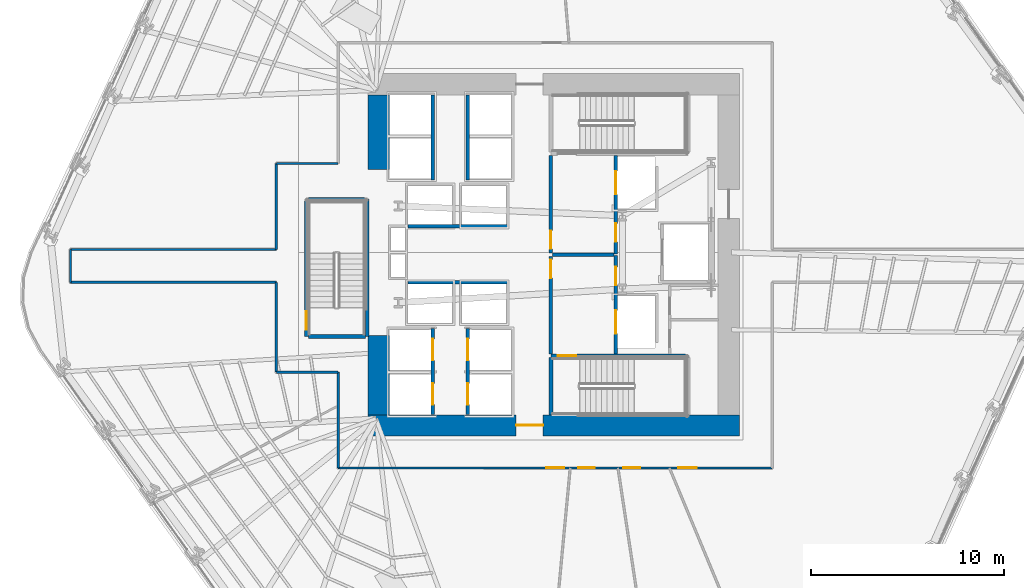
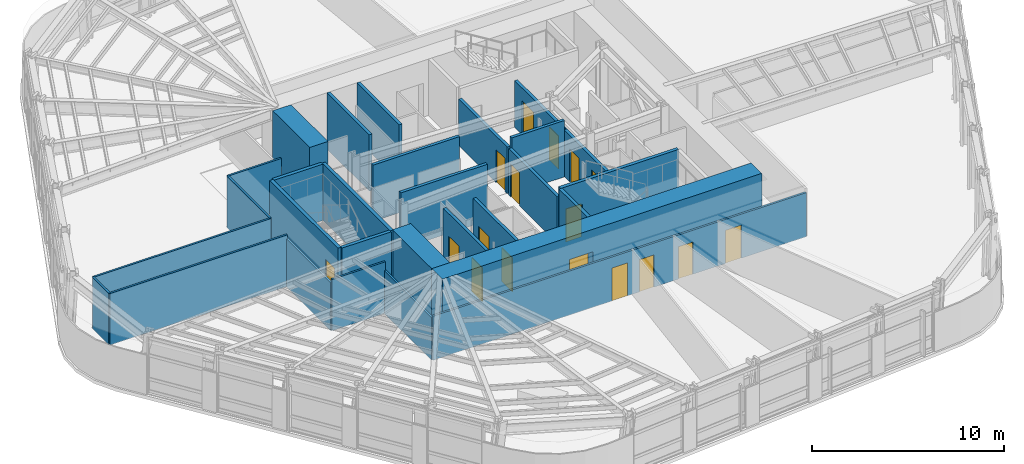
# One storey, part 8 of 16: 29 walls, 17 doors, 17 openings.
"""IFC4 building model written with IfcOpenShell, lengths in metres."""

from ifc_helpers import new_model, si_unit, direction, frame, frame_2d, origin, place, context, subcontext, project, spatial, rectangle, extrude, material, layer, layer_set, type_object, element, fill, save


model = new_model("IFC4")

# Units and contexts
model_context = context("Model", 3, precision=1e-05, world=origin(), true_north=direction((0.0, 1.0)))
body_context = subcontext(model_context, "Body", "Model", "MODEL_VIEW")
ifc_project = project(units=[si_unit("LENGTHUNIT", "METRE"), si_unit("AREAUNIT", "SQUARE_METRE"), si_unit("VOLUMEUNIT", "CUBIC_METRE"), si_unit("PLANEANGLEUNIT", "RADIAN"), si_unit("MASSUNIT", "GRAM", prefix="KILO")], contexts=[model_context])

# Site, building, storey
site_placement = place(None, origin())
site = spatial("IfcSite", under=ifc_project, at=site_placement, CompositionType="ELEMENT")
building_placement = place(site_placement, origin())
building = spatial("IfcBuilding", under=site, at=building_placement, Name="Valkerne Bourse Tower", CompositionType="ELEMENT")
storey_placement = place(building_placement, frame((0.0, 0.0, 46.800048828125)))
storey = spatial("IfcBuildingStorey", under=building, at=storey_placement, Name="L11", CompositionType="ELEMENT", Elevation=46.800048828125)

# Wall, opening, door
ifc_material_1 = material(Name="Concrete C70/85", Category="concrete")
ifc_layer_1 = layer(ifc_material_1, 1.10009765625)
ifc_layer_set_1 = layer_set([ifc_layer_1], Name="Concrete C70/85")
wall_type_1 = type_object("IfcWallType", Name="W-CORE-1100", PredefinedType="SHEAR", material=ifc_layer_set_1)
wall_1_placement = place(storey_placement, frame((37.199951171875, 18.050048828125, 0.0), z_axis=(0.0, 0.0, 1.0), x_axis=(1.0, 0.0, 0.0)))
wall_1 = element("IfcWall", 1, at=wall_1_placement, inside=storey, type_object=wall_type_1, Name="L11 Core Shear Wall SOUTH", PredefinedType="SHEAR", context=body_context, shape_type="SweptSolid", body=[
    extrude(rectangle(XDim=19.199951171875, YDim=1.10009765625, at=frame_2d((9.60009765625, 0.0))), origin(), (0.0, 0.0, 1.0), 3.579833984375),
])
opening_1_placement = place(wall_1_placement, frame((7.64990234375, 0.0, 0.0)))
opening_1 = element("IfcOpeningElement", 2, at=opening_1_placement, cuts=wall_1, Name="Opening D-PL-1400", PredefinedType="OPENING", context=body_context, shape_type="SweptSolid", body=[
    extrude(rectangle(XDim=1.39990234375, YDim=2.14990234375, at=frame_2d((0.699951171875, 1.074951171875))), frame((0.0, 0.56005859375, 0.0), z_axis=(0.0, -1.0, 0.0), x_axis=(1.0, 0.0, 0.0)), (0.0, 0.0, 1.0), 1.1201171875),
])
ifc_material_2 = material(Name="Galvanised Painted Steel", Category="steel")
door_type_1 = type_object("IfcDoorType", Name="DR-PLT-1400", OperationType="DOUBLE_DOOR_SINGLE_SWING", PredefinedType="DOOR", material=ifc_material_2)
door_1_placement = place(opening_1_placement, origin())
door_1 = element("IfcDoor", 3, at=door_1_placement, inside=storey, type_object=door_type_1, Name="L11 South Passenger Lift Hall Fire Door", OperationType="DOUBLE_DOOR_SINGLE_SWING", OverallHeight=2.14990234375, OverallWidth=1.39990234375, PredefinedType="DOOR", context=body_context, shape_type="SweptSolid", body=[
    extrude(rectangle(XDim=1.39990234375, YDim=2.14990234375, at=frame_2d((0.699951171875, 1.074951171875))), frame((0.0, 0.02490234375, 0.0), z_axis=(0.0, -1.0, 0.0), x_axis=(1.0, 0.0, 0.0)), (0.0, 0.0, 1.0), 0.050048828125),
])
fill(opening_1, door_1)

# Walls
wall_2_placement = place(storey_placement, frame((37.75, 18.60009765625, 0.0), z_axis=(0.0, 0.0, 1.0), x_axis=(0.0, 1.0, 0.0)))
element("IfcWall", 4, at=wall_2_placement, inside=storey, type_object=wall_type_1, Name="L11 Core Shear Wall WEST-S", PredefinedType="SHEAR", context=body_context, shape_type="SweptSolid", body=[
    extrude(rectangle(XDim=4.099853515625, YDim=1.10009765625, at=frame_2d((2.0498046875, 0.0))), origin(), (0.0, 0.0, 1.0), 3.579833984375),
])
wall_3_placement = place(storey_placement, frame((37.75, 31.300048828125, 0.0), z_axis=(0.0, 0.0, 1.0), x_axis=(0.0, 1.0, 0.0)))
element("IfcWall", 5, at=wall_3_placement, inside=storey, type_object=wall_type_1, Name="L11 Core Shear Wall WEST-N", PredefinedType="SHEAR", context=body_context, shape_type="SweptSolid", body=[
    extrude(rectangle(XDim=3.849853515625, YDim=1.10009765625, at=frame_2d((1.9248046875, 0.0))), origin(), (0.0, 0.0, 1.0), 3.579833984375),
])

# Wall, openings, doors
ifc_material_3 = material(Name="Gypsum Board Steel-Stud Partition", Category="steel")
ifc_layer_2 = layer(ifc_material_3, 0.117919921875)
ifc_layer_set_2 = layer_set([ifc_layer_2], Name="Gypsum Board Steel-Stud Partition")
wall_type_2 = type_object("IfcWallType", Name="W-CORR-140", PredefinedType="PARTITIONING", material=ifc_layer_set_2)
wall_4_placement = place(storey_placement, frame((58.10009765625, 15.85009765625, 0.0), z_axis=(0.0, 0.0, 1.0), x_axis=(-1.0, 0.0, 0.0)))
wall_4 = element("IfcWall", 6, at=wall_4_placement, inside=storey, type_object=wall_type_2, Name="L11 Corridor Enclosure Wall", PredefinedType="PARTITIONING", context=body_context, shape_type="SweptSolid", body=[
    extrude(rectangle(XDim=22.4501953125, YDim=0.117919921875, at=frame_2d((11.22509765625, 0.0))), origin(), (0.0, 0.0, 1.0), 2.80029296875),
])
opening_2_placement = place(wall_4_placement, frame((9.175048828125, 0.0, 0.0)))
opening_2 = element("IfcOpeningElement", 7, at=opening_2_placement, cuts=wall_4, Name="Opening D-WC-900", PredefinedType="OPENING", context=body_context, shape_type="SweptSolid", body=[
    extrude(rectangle(XDim=0.860107421875, YDim=2.050048828125, at=frame_2d((0.43017578125, 1.02490234375))), frame((0.0, 0.06884765625, 0.0), z_axis=(0.0, -1.0, 0.0), x_axis=(1.0, 0.0, 0.0)), (0.0, 0.0, 1.0), 0.137939453125),
])
opening_3_placement = place(wall_4_placement, frame((6.8349609375, 0.0, 0.0)))
opening_3 = element("IfcOpeningElement", 8, at=opening_3_placement, cuts=wall_4, Name="Opening D-WC-900", PredefinedType="OPENING", context=body_context, shape_type="SweptSolid", body=[
    extrude(rectangle(XDim=0.860107421875, YDim=2.050048828125, at=frame_2d((0.43017578125, 1.02490234375))), frame((0.0, 0.06884765625, 0.0), z_axis=(0.0, -1.0, 0.0), x_axis=(1.0, 0.0, 0.0)), (0.0, 0.0, 1.0), 0.137939453125),
])
opening_4_placement = place(wall_4_placement, frame((10.75, 0.0, 0.0)))
opening_4 = element("IfcOpeningElement", 9, at=opening_4_placement, cuts=wall_4, Name="Opening D-OF-950", PredefinedType="OPENING", context=body_context, shape_type="SweptSolid", body=[
    extrude(rectangle(XDim=0.949951171875, YDim=2.10009765625, at=frame_2d((0.47509765625, 1.050048828125))), frame((0.0, 0.06884765625, 0.0), z_axis=(0.0, -1.0, 0.0), x_axis=(1.0, 0.0, 0.0)), (0.0, 0.0, 1.0), 0.137939453125),
])
opening_5_placement = place(wall_4_placement, frame((3.909912109375, 0.0, 0.0)))
opening_5 = element("IfcOpeningElement", 10, at=opening_5_placement, cuts=wall_4, Name="Opening D-OF-950", PredefinedType="OPENING", context=body_context, shape_type="SweptSolid", body=[
    extrude(rectangle(XDim=0.949951171875, YDim=2.10009765625, at=frame_2d((0.47509765625, 1.050048828125))), frame((0.0, 0.06884765625, 0.0), z_axis=(0.0, -1.0, 0.0), x_axis=(1.0, 0.0, 0.0)), (0.0, 0.0, 1.0), 0.137939453125),
])
ifc_material_4 = material(Name="Architectural White Oak Timber", Category="wood")
door_type_2 = type_object("IfcDoorType", Name="DR-OFF-950", OperationType="NOTDEFINED", PredefinedType="DOOR", material=ifc_material_4)
door_2_placement = place(opening_4_placement, origin())
door_2 = element("IfcDoor", 11, at=door_2_placement, inside=storey, type_object=door_type_2, Name="L11 L11 Executive Economics Study Room 3 Door", OperationType="SINGLE_SWING_LEFT", OverallHeight=2.10009765625, OverallWidth=0.949951171875, PredefinedType="DOOR", context=body_context, shape_type="SweptSolid", body=[
    extrude(rectangle(XDim=0.949951171875, YDim=2.10009765625, at=frame_2d((0.47509765625, 1.050048828125))), frame((0.0, 0.02490234375, 0.0), z_axis=(0.0, -1.0, 0.0), x_axis=(1.0, 0.0, 0.0)), (0.0, 0.0, 1.0), 0.050048828125),
])
fill(opening_4, door_2)
door_3_placement = place(opening_5_placement, origin())
door_3 = element("IfcDoor", 12, at=door_3_placement, inside=storey, type_object=door_type_2, Name="L11 L11 Occupational Wellness Clinic 5 Door", OperationType="SINGLE_SWING_RIGHT", OverallHeight=2.10009765625, OverallWidth=0.949951171875, PredefinedType="DOOR", context=body_context, shape_type="SweptSolid", body=[
    extrude(rectangle(XDim=0.949951171875, YDim=2.10009765625, at=frame_2d((0.47509765625, 1.050048828125))), frame((0.0, 0.02490234375, 0.0), z_axis=(0.0, -1.0, 0.0), x_axis=(1.0, 0.0, 0.0)), (0.0, 0.0, 1.0), 0.050048828125),
])
fill(opening_5, door_3)
door_type_3 = type_object("IfcDoorType", Name="DR-WC-900", OperationType="NOTDEFINED", PredefinedType="DOOR", material=ifc_material_4)
door_4_placement = place(opening_2_placement, origin())
door_4 = element("IfcDoor", 13, at=door_4_placement, inside=storey, type_object=door_type_3, Name="L11 L11 Men Bathroom WC 1 Door", OperationType="SINGLE_SWING_LEFT", OverallHeight=2.050048828125, OverallWidth=0.860107421875, PredefinedType="DOOR", context=body_context, shape_type="SweptSolid", body=[
    extrude(rectangle(XDim=0.860107421875, YDim=2.050048828125, at=frame_2d((0.43017578125, 1.02490234375))), frame((0.0, 0.02490234375, 0.0), z_axis=(0.0, -1.0, 0.0), x_axis=(1.0, 0.0, 0.0)), (0.0, 0.0, 1.0), 0.050048828125),
])
fill(opening_2, door_4)
door_5_placement = place(opening_3_placement, origin())
door_5 = element("IfcDoor", 14, at=door_5_placement, inside=storey, type_object=door_type_3, Name="L11 L11 Women Restroom & Shower WC 2 Door", OperationType="SINGLE_SWING_LEFT", OverallHeight=2.050048828125, OverallWidth=0.860107421875, PredefinedType="DOOR", context=body_context, shape_type="SweptSolid", body=[
    extrude(rectangle(XDim=0.860107421875, YDim=2.050048828125, at=frame_2d((0.43017578125, 1.02490234375))), frame((0.0, 0.02490234375, 0.0), z_axis=(0.0, -1.0, 0.0), x_axis=(1.0, 0.0, 0.0)), (0.0, 0.0, 1.0), 0.050048828125),
])
fill(opening_3, door_5)

# Walls
wall_5_placement = place(storey_placement, frame((35.64990234375, 15.85009765625, 0.0), z_axis=(0.0, 0.0, 1.0), x_axis=(0.0, 1.0, 0.0)))
element("IfcWall", 15, at=wall_5_placement, inside=storey, type_object=wall_type_2, Name="L11 Corridor Enclosure Wall", PredefinedType="PARTITIONING", context=body_context, shape_type="SweptSolid", body=[
    extrude(rectangle(XDim=4.949951171875, YDim=0.117919921875, at=frame_2d((2.47509765625, 0.0))), origin(), (0.0, 0.0, 1.0), 2.71142578125),
])
wall_6_placement = place(storey_placement, frame((35.64990234375, 20.800048828125, 0.0), z_axis=(0.0, 0.0, 1.0), x_axis=(-1.0, 0.0, 0.0)))
element("IfcWall", 16, at=wall_6_placement, inside=storey, type_object=wall_type_2, Name="L11 Corridor Enclosure Wall", PredefinedType="PARTITIONING", context=body_context, shape_type="SweptSolid", body=[
    extrude(rectangle(XDim=3.199951171875, YDim=0.117919921875, at=frame_2d((1.60009765625, 0.0))), origin(), (0.0, 0.0, 1.0), 3.260009765625),
])
wall_7_placement = place(storey_placement, frame((32.449951171875, 20.800048828125, 0.0), z_axis=(0.0, 0.0, 1.0), x_axis=(0.0, 1.0, 0.0)))
element("IfcWall", 17, at=wall_7_placement, inside=storey, type_object=wall_type_2, Name="L11 Corridor Enclosure Wall", PredefinedType="PARTITIONING", context=body_context, shape_type="SweptSolid", body=[
    extrude(rectangle(XDim=4.64990234375, YDim=0.117919921875, at=frame_2d((2.324951171875, 0.0))), origin(), (0.0, 0.0, 1.0), 3.03662109375),
])
wall_8_placement = place(storey_placement, frame((32.449951171875, 25.449951171875, 0.0), z_axis=(0.0, 0.0, 1.0), x_axis=(-1.0, 0.0, 0.0)))
element("IfcWall", 18, at=wall_8_placement, inside=storey, type_object=wall_type_2, Name="L11 Corridor Enclosure Wall", PredefinedType="PARTITIONING", context=body_context, shape_type="SweptSolid", body=[
    extrude(rectangle(XDim=10.64990234375, YDim=0.117919921875, at=frame_2d((5.324951171875, 0.0))), origin(), (0.0, 0.0, 1.0), 3.280029296875),
])
wall_9_placement = place(storey_placement, frame((21.800048828125, 25.449951171875, 0.0), z_axis=(0.0, 0.0, 1.0), x_axis=(0.0, 1.0, 0.0)))
element("IfcWall", 19, at=wall_9_placement, inside=storey, type_object=wall_type_2, Name="L11 Corridor Enclosure Wall", PredefinedType="PARTITIONING", context=body_context, shape_type="SweptSolid", body=[
    extrude(rectangle(XDim=1.699951171875, YDim=0.117919921875, at=frame_2d((0.85009765625, 0.0))), origin(), (0.0, 0.0, 1.0), 3.280029296875),
])
wall_10_placement = place(storey_placement, frame((21.800048828125, 27.14990234375, 0.0), z_axis=(0.0, 0.0, 1.0), x_axis=(1.0, 0.0, 0.0)))
element("IfcWall", 20, at=wall_10_placement, inside=storey, type_object=wall_type_2, Name="L11 Corridor Enclosure Wall", PredefinedType="PARTITIONING", context=body_context, shape_type="SweptSolid", body=[
    extrude(rectangle(XDim=10.64990234375, YDim=0.117919921875, at=frame_2d((5.324951171875, 0.0))), origin(), (0.0, 0.0, 1.0), 3.280029296875),
])
wall_11_placement = place(storey_placement, frame((32.449951171875, 27.14990234375, 0.0), z_axis=(0.0, 0.0, 1.0), x_axis=(0.0, 1.0, 0.0)))
element("IfcWall", 21, at=wall_11_placement, inside=storey, type_object=wall_type_2, Name="L11 Corridor Enclosure Wall", PredefinedType="PARTITIONING", context=body_context, shape_type="SweptSolid", body=[
    extrude(rectangle(XDim=4.4501953125, YDim=0.117919921875, at=frame_2d((2.22509765625, 0.0))), origin(), (0.0, 0.0, 1.0), 3.280029296875),
])
wall_12_placement = place(storey_placement, frame((32.449951171875, 31.60009765625, 0.0), z_axis=(0.0, 0.0, 1.0), x_axis=(1.0, 0.0, 0.0)))
element("IfcWall", 22, at=wall_12_placement, inside=storey, type_object=wall_type_2, Name="L11 Corridor Enclosure Wall", PredefinedType="PARTITIONING", context=body_context, shape_type="SweptSolid", body=[
    extrude(rectangle(XDim=3.199951171875, YDim=0.117919921875, at=frame_2d((1.60009765625, 0.0))), origin(), (0.0, 0.0, 1.0), 3.280029296875),
])
ifc_material_5 = material(Name="Gypsum Fire-Rated Shaftwall", Category="gypsum")
ifc_layer_3 = layer(ifc_material_5, 0.179931640625)
ifc_layer_set_3 = layer_set([ifc_layer_3], Name="Gypsum Fire-Rated Shaftwall")
wall_type_3 = type_object("IfcWallType", Name="W-FSAE-180", PredefinedType="PARTITIONING", material=ifc_layer_set_3)
wall_13_placement = place(storey_placement, frame((46.739990234375, 26.8798828125, 0.0), z_axis=(0.0, 0.0, 1.0), x_axis=(1.0, 0.0, 0.0)))
element("IfcWall", 23, at=wall_13_placement, inside=storey, type_object=wall_type_3, Name="L11 FSAE-1/2 Lobby Dividing Fire Wall", PredefinedType="PARTITIONING", context=body_context, shape_type="SweptSolid", body=[
    extrude(rectangle(XDim=3.169921875, YDim=0.179931640625, at=frame_2d((1.5849609375, 0.0))), origin(), (0.0, 0.0, 1.0), 3.579833984375),
])

# Wall, opening, door
wall_14_placement = place(storey_placement, frame((46.64990234375, 21.75, 0.0), z_axis=(0.0, 0.0, 1.0), x_axis=(0.0, 1.0, 0.0)))
wall_14 = element("IfcWall", 24, at=wall_14_placement, inside=storey, type_object=wall_type_3, Name="L11 FSAE-1 Lobby West Fire Wall", PredefinedType="PARTITIONING", context=body_context, shape_type="SweptSolid", body=[
    extrude(rectangle(XDim=5.050048828125, YDim=0.179931640625, at=frame_2d((2.52490234375, 0.0))), origin(), (0.0, 0.0, 1.0), 2.9580078125),
])
opening_6_placement = place(wall_14_placement, frame((3.919921875, 0.0, 0.0)))
opening_6 = element("IfcOpeningElement", 25, at=opening_6_placement, cuts=wall_14, Name="Opening D-FS-950", PredefinedType="OPENING", context=body_context, shape_type="SweptSolid", body=[
    extrude(rectangle(XDim=0.949951171875, YDim=2.10009765625, at=frame_2d((0.47509765625, 1.050048828125))), frame((0.0, 0.099853515625, 0.0), z_axis=(0.0, -1.0, 0.0), x_axis=(1.0, 0.0, 0.0)), (0.0, 0.0, 1.0), 0.199951171875),
])
door_type_4 = type_object("IfcDoorType", Name="DR-FSAE-950", OperationType="NOTDEFINED", PredefinedType="DOOR", material=ifc_material_2)
door_6_placement = place(opening_6_placement, origin())
door_6 = element("IfcDoor", 26, at=door_6_placement, inside=storey, type_object=door_type_4, Name="L11 FSAE-1 Hall Link Fire Door", OperationType="SINGLE_SWING_RIGHT", OverallHeight=2.10009765625, OverallWidth=0.949951171875, PredefinedType="DOOR", context=body_context, shape_type="SweptSolid", body=[
    extrude(rectangle(XDim=0.949951171875, YDim=2.10009765625, at=frame_2d((0.47509765625, 1.050048828125))), frame((0.0, 0.02490234375, 0.0), z_axis=(0.0, -1.0, 0.0), x_axis=(1.0, 0.0, 0.0)), (0.0, 0.0, 1.0), 0.050048828125),
])
fill(opening_6, door_6)

wall_15_placement = place(storey_placement, frame((46.64990234375, 26.9599609375, 0.0), z_axis=(0.0, 0.0, 1.0), x_axis=(0.0, 1.0, 0.0)))
wall_15 = element("IfcWall", 27, at=wall_15_placement, inside=storey, type_object=wall_type_3, Name="L11 FSAE-2 Lobby West Fire Wall", PredefinedType="PARTITIONING", context=body_context, shape_type="SweptSolid", body=[
    extrude(rectangle(XDim=5.0400390625, YDim=0.179931640625, at=frame_2d((2.52001953125, 0.0))), origin(), (0.0, 0.0, 1.0), 2.9580078125),
])
opening_7_placement = place(wall_15_placement, frame((0.219970703125, 0.0, 0.0)))
opening_7 = element("IfcOpeningElement", 28, at=opening_7_placement, cuts=wall_15, Name="Opening D-FS-950", PredefinedType="OPENING", context=body_context, shape_type="SweptSolid", body=[
    extrude(rectangle(XDim=0.949951171875, YDim=2.10009765625, at=frame_2d((0.47509765625, 1.050048828125))), frame((0.0, 0.099853515625, 0.0), z_axis=(0.0, -1.0, 0.0), x_axis=(1.0, 0.0, 0.0)), (0.0, 0.0, 1.0), 0.199951171875),
])
door_7_placement = place(opening_7_placement, origin())
door_7 = element("IfcDoor", 29, at=door_7_placement, inside=storey, type_object=door_type_4, Name="L11 FSAE-2 Hall Link Fire Door", OperationType="SINGLE_SWING_RIGHT", OverallHeight=2.10009765625, OverallWidth=0.949951171875, PredefinedType="DOOR", context=body_context, shape_type="SweptSolid", body=[
    extrude(rectangle(XDim=0.949951171875, YDim=2.10009765625, at=frame_2d((0.47509765625, 1.050048828125))), frame((0.0, 0.02490234375, 0.0), z_axis=(0.0, -1.0, 0.0), x_axis=(1.0, 0.0, 0.0)), (0.0, 0.0, 1.0), 0.050048828125),
])
fill(opening_7, door_7)

# Wall, openings, doors
wall_16_placement = place(storey_placement, frame((50.0, 21.75, 0.0), z_axis=(0.0, 0.0, 1.0), x_axis=(0.0, 1.0, 0.0)))
wall_16 = element("IfcWall", 30, at=wall_16_placement, inside=storey, type_object=wall_type_3, Name="L11 FSAE-1 Lobby & Shaft Front Wall", PredefinedType="PARTITIONING", context=body_context, shape_type="SweptSolid", body=[
    extrude(rectangle(XDim=5.090087890625, YDim=0.179931640625, at=frame_2d((2.544921875, 0.0))), origin(), (0.0, 0.0, 1.0), 2.9580078125),
])
opening_8_placement = place(wall_16_placement, frame((1.050048828125, 0.0, 0.0)))
opening_8 = element("IfcOpeningElement", 31, at=opening_8_placement, cuts=wall_16, Name="Opening LD-1200", PredefinedType="OPENING", context=body_context, shape_type="SweptSolid", body=[
    extrude(rectangle(XDim=1.199951171875, YDim=2.14990234375, at=frame_2d((0.60009765625, 1.074951171875))), frame((0.0, 0.099853515625, 0.0), z_axis=(0.0, -1.0, 0.0), x_axis=(1.0, 0.0, 0.0)), (0.0, 0.0, 1.0), 0.199951171875),
])
opening_9_placement = place(wall_16_placement, frame((3.550048828125, 0.0, 0.0)))
opening_9 = element("IfcOpeningElement", 32, at=opening_9_placement, cuts=wall_16, Name="Opening D-FS-950", PredefinedType="OPENING", context=body_context, shape_type="SweptSolid", body=[
    extrude(rectangle(XDim=0.949951171875, YDim=2.10009765625, at=frame_2d((0.47509765625, 1.050048828125))), frame((0.0, 0.099853515625, 0.0), z_axis=(0.0, -1.0, 0.0), x_axis=(1.0, 0.0, 0.0)), (0.0, 0.0, 1.0), 0.199951171875),
])
door_8_placement = place(opening_9_placement, origin())
door_8 = element("IfcDoor", 33, at=door_8_placement, inside=storey, type_object=door_type_4, Name="L11 FSAE-1 Lobby Corridor Fire Door", OperationType="SINGLE_SWING_LEFT", OverallHeight=2.10009765625, OverallWidth=0.949951171875, PredefinedType="DOOR", context=body_context, shape_type="SweptSolid", body=[
    extrude(rectangle(XDim=0.949951171875, YDim=2.10009765625, at=frame_2d((0.47509765625, 1.050048828125))), frame((0.0, 0.02490234375, 0.0), z_axis=(0.0, -1.0, 0.0), x_axis=(1.0, 0.0, 0.0)), (0.0, 0.0, 1.0), 0.050048828125),
])
fill(opening_9, door_8)
ifc_material_6 = material(Name="Stainless Steel AISI 316", Category="steel")
door_type_5 = type_object("IfcDoorType", Name="DR-LIFT-1200", OperationType="DOUBLE_DOOR_SLIDING", PredefinedType="DOOR", material=ifc_material_6)
door_9_placement = place(opening_8_placement, origin())
door_9 = element("IfcDoor", 34, at=door_9_placement, inside=storey, type_object=door_type_5, Name="L11 FSAE-1 Firefighting Lift Landing Door", OperationType="DOUBLE_DOOR_SLIDING", OverallHeight=2.14990234375, OverallWidth=1.199951171875, PredefinedType="DOOR", context=body_context, shape_type="SweptSolid", body=[
    extrude(rectangle(XDim=1.199951171875, YDim=2.14990234375, at=frame_2d((0.60009765625, 1.074951171875))), frame((0.0, 0.02490234375, 0.0), z_axis=(0.0, -1.0, 0.0), x_axis=(1.0, 0.0, 0.0)), (0.0, 0.0, 1.0), 0.050048828125),
])
fill(opening_8, door_9)

wall_17_placement = place(storey_placement, frame((50.0, 26.919921875, 0.0), z_axis=(0.0, 0.0, 1.0), x_axis=(0.0, 1.0, 0.0)))
wall_17 = element("IfcWall", 35, at=wall_17_placement, inside=storey, type_object=wall_type_3, Name="L11 FSAE-2 Lobby & Shaft Front Wall", PredefinedType="PARTITIONING", context=body_context, shape_type="SweptSolid", body=[
    extrude(rectangle(XDim=5.080078125, YDim=0.179931640625, at=frame_2d((2.5400390625, 0.0))), origin(), (0.0, 0.0, 1.0), 2.9580078125),
])
opening_10_placement = place(wall_17_placement, frame((3.080078125, 0.0, 0.0)))
opening_10 = element("IfcOpeningElement", 36, at=opening_10_placement, cuts=wall_17, Name="Opening LD-1200", PredefinedType="OPENING", context=body_context, shape_type="SweptSolid", body=[
    extrude(rectangle(XDim=1.199951171875, YDim=2.14990234375, at=frame_2d((0.60009765625, 1.074951171875))), frame((0.0, 0.099853515625, 0.0), z_axis=(0.0, -1.0, 0.0), x_axis=(1.0, 0.0, 0.0)), (0.0, 0.0, 1.0), 0.199951171875),
])
opening_11_placement = place(wall_17_placement, frame((0.6298828125, 0.0, 0.0)))
opening_11 = element("IfcOpeningElement", 37, at=opening_11_placement, cuts=wall_17, Name="Opening D-FS-950", PredefinedType="OPENING", context=body_context, shape_type="SweptSolid", body=[
    extrude(rectangle(XDim=0.949951171875, YDim=2.10009765625, at=frame_2d((0.47509765625, 1.050048828125))), frame((0.0, 0.099853515625, 0.0), z_axis=(0.0, -1.0, 0.0), x_axis=(1.0, 0.0, 0.0)), (0.0, 0.0, 1.0), 0.199951171875),
])
door_10_placement = place(opening_11_placement, origin())
door_10 = element("IfcDoor", 38, at=door_10_placement, inside=storey, type_object=door_type_4, Name="L11 FSAE-2 Lobby Corridor Fire Door", OperationType="SINGLE_SWING_LEFT", OverallHeight=2.10009765625, OverallWidth=0.949951171875, PredefinedType="DOOR", context=body_context, shape_type="SweptSolid", body=[
    extrude(rectangle(XDim=0.949951171875, YDim=2.10009765625, at=frame_2d((0.47509765625, 1.050048828125))), frame((0.0, 0.02490234375, 0.0), z_axis=(0.0, -1.0, 0.0), x_axis=(1.0, 0.0, 0.0)), (0.0, 0.0, 1.0), 0.050048828125),
])
fill(opening_11, door_10)
door_11_placement = place(opening_10_placement, origin())
door_11 = element("IfcDoor", 39, at=door_11_placement, inside=storey, type_object=door_type_5, Name="L11 FSAE-2 Firefighting Lift Landing Door", OperationType="DOUBLE_DOOR_SLIDING", OverallHeight=2.14990234375, OverallWidth=1.199951171875, PredefinedType="DOOR", context=body_context, shape_type="SweptSolid", body=[
    extrude(rectangle(XDim=1.199951171875, YDim=2.14990234375, at=frame_2d((0.60009765625, 1.074951171875))), frame((0.0, 0.02490234375, 0.0), z_axis=(0.0, -1.0, 0.0), x_axis=(1.0, 0.0, 0.0)), (0.0, 0.0, 1.0), 0.050048828125),
])
fill(opening_10, door_11)

ifc_material_7 = material(Name="CMU Blockwork Masonry 200mm", Category="masonry")
ifc_layer_4 = layer(ifc_material_7, 0.179931640625)
ifc_layer_set_4 = layer_set([ifc_layer_4], Name="CMU Blockwork Masonry 200mm")
wall_type_4 = type_object("IfcWallType", Name="W-LFT-180", PredefinedType="SOLIDWALL", material=ifc_layer_set_4)
wall_18_placement = place(storey_placement, frame((40.550048828125, 18.6201171875, 0.0), z_axis=(0.0, 0.0, 1.0), x_axis=(0.0, 1.0, 0.0)))
wall_18 = element("IfcWall", 40, at=wall_18_placement, inside=storey, type_object=wall_type_4, Name="L11 Low-Zone West Cars Front Wall", PredefinedType="SOLIDWALL", context=body_context, shape_type="SweptSolid", body=[
    extrude(rectangle(XDim=4.429931640625, YDim=0.179931640625, at=frame_2d((2.21484375, 0.0))), origin(), (0.0, 0.0, 1.0), 3.579833984375),
])
opening_12_placement = place(wall_18_placement, frame((0.5, 0.0, 0.0)))
opening_12 = element("IfcOpeningElement", 41, at=opening_12_placement, cuts=wall_18, Name="Opening LD-1100", PredefinedType="OPENING", context=body_context, shape_type="SweptSolid", body=[
    extrude(rectangle(XDim=1.10009765625, YDim=2.14990234375, at=frame_2d((0.550048828125, 1.074951171875))), frame((0.0, 0.099853515625, 0.0), z_axis=(0.0, -1.0, 0.0), x_axis=(1.0, 0.0, 0.0)), (0.0, 0.0, 1.0), 0.199951171875),
])
opening_13_placement = place(wall_18_placement, frame((2.800048828125, 0.0, 0.0)))
opening_13 = element("IfcOpeningElement", 42, at=opening_13_placement, cuts=wall_18, Name="Opening LD-1100", PredefinedType="OPENING", context=body_context, shape_type="SweptSolid", body=[
    extrude(rectangle(XDim=1.10009765625, YDim=2.14990234375, at=frame_2d((0.550048828125, 1.074951171875))), frame((0.0, 0.099853515625, 0.0), z_axis=(0.0, -1.0, 0.0), x_axis=(1.0, 0.0, 0.0)), (0.0, 0.0, 1.0), 0.199951171875),
])
door_type_6 = type_object("IfcDoorType", Name="DR-LIFT-1100", OperationType="DOUBLE_DOOR_SLIDING", PredefinedType="DOOR", material=ifc_material_6)
door_12_placement = place(opening_12_placement, origin())
door_12 = element("IfcDoor", 43, at=door_12_placement, inside=storey, type_object=door_type_6, Name="L11 Passenger Lift PL-L1 Sliding Landing Door", OperationType="DOUBLE_DOOR_SLIDING", OverallHeight=2.14990234375, OverallWidth=1.10009765625, PredefinedType="DOOR", context=body_context, shape_type="SweptSolid", body=[
    extrude(rectangle(XDim=1.10009765625, YDim=2.14990234375, at=frame_2d((0.550048828125, 1.074951171875))), frame((0.0, 0.02490234375, 0.0), z_axis=(0.0, -1.0, 0.0), x_axis=(1.0, 0.0, 0.0)), (0.0, 0.0, 1.0), 0.050048828125),
])
fill(opening_12, door_12)
door_13_placement = place(opening_13_placement, origin())
door_13 = element("IfcDoor", 44, at=door_13_placement, inside=storey, type_object=door_type_6, Name="L11 Passenger Lift PL-L2 Sliding Landing Door", OperationType="DOUBLE_DOOR_SLIDING", OverallHeight=2.14990234375, OverallWidth=1.10009765625, PredefinedType="DOOR", context=body_context, shape_type="SweptSolid", body=[
    extrude(rectangle(XDim=1.10009765625, YDim=2.14990234375, at=frame_2d((0.550048828125, 1.074951171875))), frame((0.0, 0.02490234375, 0.0), z_axis=(0.0, -1.0, 0.0), x_axis=(1.0, 0.0, 0.0)), (0.0, 0.0, 1.0), 0.050048828125),
])
fill(opening_13, door_13)

wall_19_placement = place(storey_placement, frame((42.35009765625, 18.6201171875, 0.0), z_axis=(0.0, 0.0, 1.0), x_axis=(0.0, 1.0, 0.0)))
wall_19 = element("IfcWall", 45, at=wall_19_placement, inside=storey, type_object=wall_type_4, Name="L11 Low-Zone East Cars Front Wall", PredefinedType="SOLIDWALL", context=body_context, shape_type="SweptSolid", body=[
    extrude(rectangle(XDim=4.429931640625, YDim=0.179931640625, at=frame_2d((2.21484375, 0.0))), origin(), (0.0, 0.0, 1.0), 3.579833984375),
])
opening_14_placement = place(wall_19_placement, frame((0.5, 0.0, 0.0)))
opening_14 = element("IfcOpeningElement", 46, at=opening_14_placement, cuts=wall_19, Name="Opening LD-1100", PredefinedType="OPENING", context=body_context, shape_type="SweptSolid", body=[
    extrude(rectangle(XDim=1.10009765625, YDim=2.14990234375, at=frame_2d((0.550048828125, 1.074951171875))), frame((0.0, 0.099853515625, 0.0), z_axis=(0.0, -1.0, 0.0), x_axis=(1.0, 0.0, 0.0)), (0.0, 0.0, 1.0), 0.199951171875),
])
opening_15_placement = place(wall_19_placement, frame((2.800048828125, 0.0, 0.0)))
opening_15 = element("IfcOpeningElement", 47, at=opening_15_placement, cuts=wall_19, Name="Opening LD-1100", PredefinedType="OPENING", context=body_context, shape_type="SweptSolid", body=[
    extrude(rectangle(XDim=1.10009765625, YDim=2.14990234375, at=frame_2d((0.550048828125, 1.074951171875))), frame((0.0, 0.099853515625, 0.0), z_axis=(0.0, -1.0, 0.0), x_axis=(1.0, 0.0, 0.0)), (0.0, 0.0, 1.0), 0.199951171875),
])
door_14_placement = place(opening_14_placement, origin())
door_14 = element("IfcDoor", 48, at=door_14_placement, inside=storey, type_object=door_type_6, Name="L11 Passenger Lift PL-L3 Sliding Landing Door", OperationType="DOUBLE_DOOR_SLIDING", OverallHeight=2.14990234375, OverallWidth=1.10009765625, PredefinedType="DOOR", context=body_context, shape_type="SweptSolid", body=[
    extrude(rectangle(XDim=1.10009765625, YDim=2.14990234375, at=frame_2d((0.550048828125, 1.074951171875))), frame((0.0, 0.02490234375, 0.0), z_axis=(0.0, -1.0, 0.0), x_axis=(1.0, 0.0, 0.0)), (0.0, 0.0, 1.0), 0.050048828125),
])
fill(opening_14, door_14)
door_15_placement = place(opening_15_placement, origin())
door_15 = element("IfcDoor", 49, at=door_15_placement, inside=storey, type_object=door_type_6, Name="L11 Passenger Lift PL-L4 Sliding Landing Door", OperationType="DOUBLE_DOOR_SLIDING", OverallHeight=2.14990234375, OverallWidth=1.10009765625, PredefinedType="DOOR", context=body_context, shape_type="SweptSolid", body=[
    extrude(rectangle(XDim=1.10009765625, YDim=2.14990234375, at=frame_2d((0.550048828125, 1.074951171875))), frame((0.0, 0.02490234375, 0.0), z_axis=(0.0, -1.0, 0.0), x_axis=(1.0, 0.0, 0.0)), (0.0, 0.0, 1.0), 0.050048828125),
])
fill(opening_15, door_15)

# Walls
for number, where, z_axis, x_axis, name in (
    (50, (40.550048828125, 30.75, 0.0), (0.0, 0.0, 1.0), (0.0, 1.0, 0.0), "L11 Mid-Zone West Cars Front Wall"),
    (51, (42.35009765625, 30.75, 0.0), (0.0, 0.0, 1.0), (0.0, 1.0, 0.0), "L11 Mid-Zone East Cars Front Wall"),
):
    element("IfcWall", number, at=place(storey_placement, frame(where, z_axis=z_axis, x_axis=x_axis)), inside=storey, type_object=wall_type_4, Name=name, PredefinedType="SOLIDWALL", context=body_context, shape_type="SweptSolid", body=[
        extrude(rectangle(XDim=4.39990234375, YDim=0.179931640625, at=frame_2d((2.199951171875, 0.0))), origin(), (0.0, 0.0, 1.0), 3.579833984375),
    ])
for number, where, z_axis, x_axis, name in (
    (52, (39.25, 25.449951171875, 0.0), (0.0, 0.0, 1.0), (1.0, 0.0, 0.0), "L11 High-Zone South Cars Front Wall"),
    (53, (39.25, 28.35009765625, 0.0), (0.0, 0.0, 1.0), (1.0, 0.0, 0.0), "L11 High-Zone North Cars Front Wall"),
):
    element("IfcWall", number, at=place(storey_placement, frame(where, z_axis=z_axis, x_axis=x_axis)), inside=storey, type_object=wall_type_4, Name=name, PredefinedType="SOLIDWALL", context=body_context, shape_type="SweptSolid", body=[
        extrude(rectangle(XDim=5.199951171875, YDim=0.179931640625, at=frame_2d((2.60009765625, 0.0))), origin(), (0.0, 0.0, 1.0), 3.579833984375),
    ])

# Wall, opening, door
ifc_material_8 = material(Name="Concrete C40/50", Category="concrete")
ifc_layer_5 = layer(ifc_material_8, 0.199951171875)
ifc_layer_set_5 = layer_set([ifc_layer_5], Name="Concrete C40/50")
wall_type_5 = type_object("IfcWallType", Name="W-SHF-200", PredefinedType="SHEAR", material=ifc_layer_set_5)
wall_20_placement = place(storey_placement, frame((46.64990234375, 21.64990234375, 0.0), z_axis=(0.0, 0.0, 1.0), x_axis=(1.0, 0.0, 0.0)))
wall_20 = element("IfcWall", 54, at=wall_20_placement, inside=storey, type_object=wall_type_5, Name="L11 Exit Stair ST-1 Structural Shaft Wall North", PredefinedType="SHEAR", context=body_context, shape_type="SweptSolid", body=[
    extrude(rectangle(XDim=7.10009765625, YDim=0.199951171875, at=frame_2d((3.550048828125, 0.0))), origin(), (0.0, 0.0, 1.0), 3.579833984375),
])
opening_16_placement = place(wall_20_placement, frame((0.35009765625, 0.0, 0.0)))
opening_16 = element("IfcOpeningElement", 55, at=opening_16_placement, cuts=wall_20, Name="Opening D-ST-950", PredefinedType="OPENING", context=body_context, shape_type="SweptSolid", body=[
    extrude(rectangle(XDim=0.949951171875, YDim=2.10009765625, at=frame_2d((0.47509765625, 1.050048828125))), frame((0.0, 0.10986328125, 0.0), z_axis=(0.0, -1.0, 0.0), x_axis=(1.0, 0.0, 0.0)), (0.0, 0.0, 1.0), 0.219970703125),
])
door_type_7 = type_object("IfcDoorType", Name="DR-STAIR-950", OperationType="NOTDEFINED", PredefinedType="DOOR", material=ifc_material_2)
door_16_placement = place(opening_16_placement, origin())
door_16 = element("IfcDoor", 56, at=door_16_placement, inside=storey, type_object=door_type_7, Name="L11 Exit Stair ST-1 Door", OperationType="SINGLE_SWING_RIGHT", OverallHeight=2.10009765625, OverallWidth=0.949951171875, PredefinedType="DOOR", context=body_context, shape_type="SweptSolid", body=[
    extrude(rectangle(XDim=0.949951171875, YDim=2.10009765625, at=frame_2d((0.47509765625, 1.050048828125))), frame((0.0, 0.02490234375, 0.0), z_axis=(0.0, -1.0, 0.0), x_axis=(1.0, 0.0, 0.0)), (0.0, 0.0, 1.0), 0.050048828125),
])
fill(opening_16, door_16)

# Wall
wall_21_placement = place(storey_placement, frame((46.64990234375, 18.60009765625, 0.0), z_axis=(0.0, 0.0, 1.0), x_axis=(0.0, 1.0, 0.0)))
element("IfcWall", 57, at=wall_21_placement, inside=storey, type_object=wall_type_5, Name="L11 Exit Stair ST-1 Structural Shaft Wall West", PredefinedType="SHEAR", context=body_context, shape_type="SweptSolid", body=[
    extrude(rectangle(XDim=2.949951171875, YDim=0.199951171875, at=frame_2d((1.47509765625, 0.0))), origin(), (0.0, 0.0, 1.0), 3.579833984375),
])

# Wall, opening, door
wall_22_placement = place(storey_placement, frame((34.0, 22.64990234375, 0.0), z_axis=(0.0, 0.0, 1.0), x_axis=(0.0, 1.0, 0.0)))
wall_22 = element("IfcWall", 58, at=wall_22_placement, inside=storey, type_object=wall_type_5, Name="L11 Exit Stair ST-3 Structural Shaft Wall West", PredefinedType="SHEAR", context=body_context, shape_type="SweptSolid", body=[
    extrude(rectangle(XDim=7.10009765625, YDim=0.199951171875, at=frame_2d((3.550048828125, 0.0))), origin(), (0.0, 0.0, 1.0), 3.579833984375),
])
opening_17_placement = place(wall_22_placement, frame((0.35009765625, 0.0, 0.0)))
opening_17 = element("IfcOpeningElement", 59, at=opening_17_placement, cuts=wall_22, Name="Opening D-ST-950", PredefinedType="OPENING", context=body_context, shape_type="SweptSolid", body=[
    extrude(rectangle(XDim=0.949951171875, YDim=2.10009765625, at=frame_2d((0.47509765625, 1.050048828125))), frame((0.0, 0.10986328125, 0.0), z_axis=(0.0, -1.0, 0.0), x_axis=(1.0, 0.0, 0.0)), (0.0, 0.0, 1.0), 0.219970703125),
])
door_17_placement = place(opening_17_placement, origin())
door_17 = element("IfcDoor", 60, at=door_17_placement, inside=storey, type_object=door_type_7, Name="L11 Exit Stair ST-3 Door", OperationType="SINGLE_SWING_RIGHT", OverallHeight=2.10009765625, OverallWidth=0.949951171875, PredefinedType="DOOR", context=body_context, shape_type="SweptSolid", body=[
    extrude(rectangle(XDim=0.949951171875, YDim=2.10009765625, at=frame_2d((0.47509765625, 1.050048828125))), frame((0.0, 0.02490234375, 0.0), z_axis=(0.0, -1.0, 0.0), x_axis=(1.0, 0.0, 0.0)), (0.0, 0.0, 1.0), 0.050048828125),
])
fill(opening_17, door_17)

# Walls
for number, where, z_axis, x_axis, name in (
    (61, (34.10009765625, 22.64990234375, 0.0), (0.0, 0.0, 1.0), (1.0, 0.0, 0.0), "L11 Exit Stair ST-3 Structural Shaft Wall South"),
    (62, (34.10009765625, 29.75, 0.0), (0.0, 0.0, 1.0), (1.0, 0.0, 0.0), "L11 Exit Stair ST-3 Structural Shaft Wall North"),
):
    element("IfcWall", number, at=place(storey_placement, frame(where, z_axis=z_axis, x_axis=x_axis)), inside=storey, type_object=wall_type_5, Name=name, PredefinedType="SHEAR", context=body_context, shape_type="SweptSolid", body=[
        extrude(rectangle(XDim=2.949951171875, YDim=0.199951171875, at=frame_2d((1.47509765625, 0.0))), origin(), (0.0, 0.0, 1.0), 3.579833984375),
    ])
wall_23_placement = place(storey_placement, frame((37.14990234375, 22.64990234375, 0.0), z_axis=(0.0, 0.0, 1.0), x_axis=(0.0, 1.0, 0.0)))
element("IfcWall", 63, at=wall_23_placement, inside=storey, type_object=wall_type_5, Name="L11 Exit Stair ST-3 Structural Shaft Wall East", PredefinedType="SHEAR", context=body_context, shape_type="SweptSolid", body=[
    extrude(rectangle(XDim=7.10009765625, YDim=0.199951171875, at=frame_2d((3.550048828125, 0.0))), origin(), (0.0, 0.0, 1.0), 3.579833984375),
])

save(model, "model.ifc")
